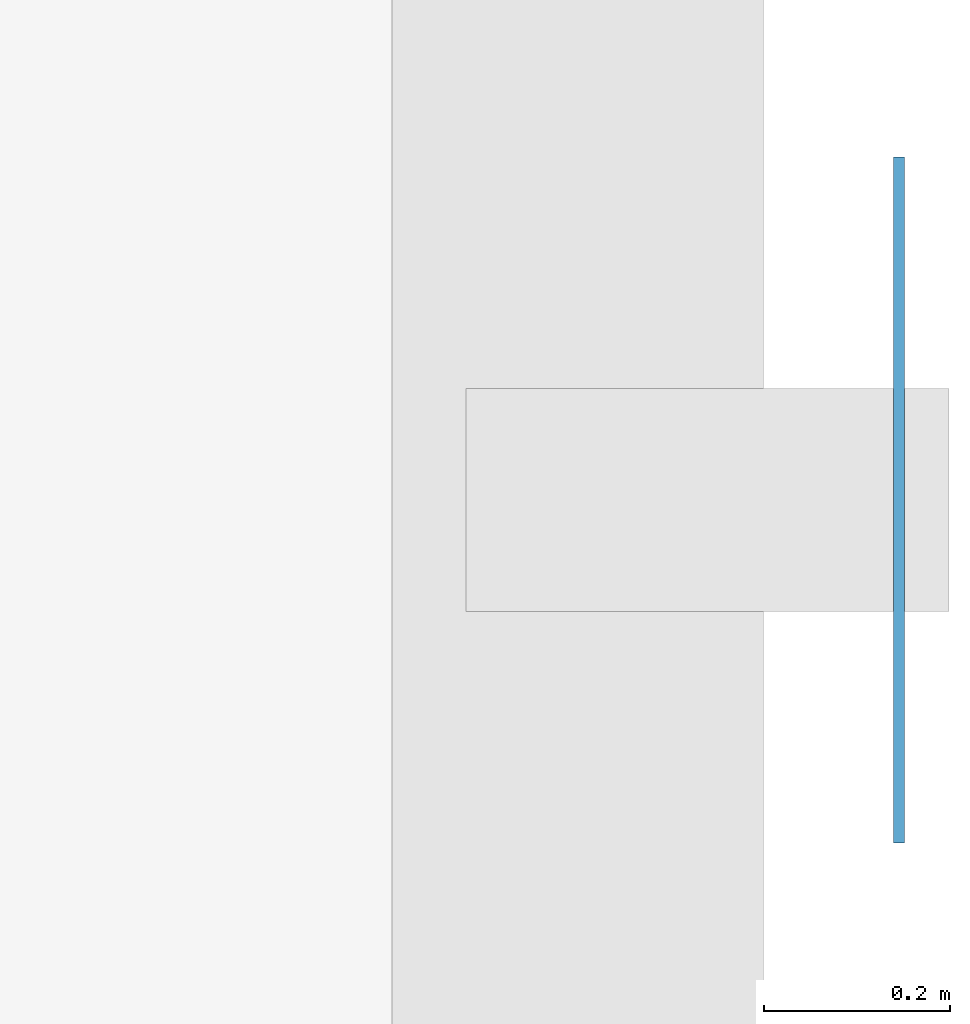
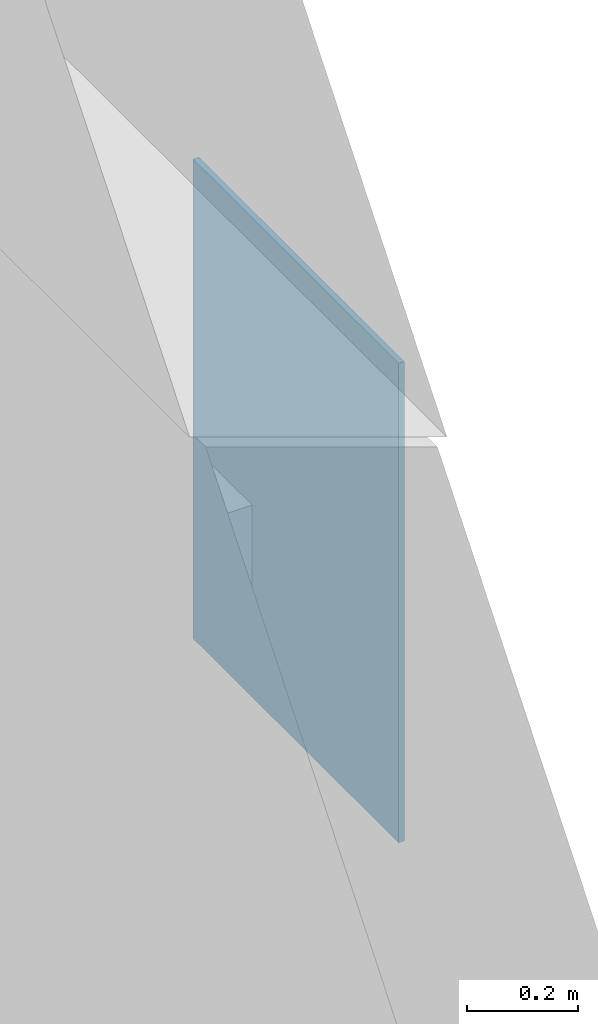
# One storey, part 37 of 51: 1 plate.
"""IFC4 building model written with IfcOpenShell, lengths in metres."""

from ifc_helpers import new_model, si_unit, direction, frame, origin, origin_2d, place, context, subcontext, project, spatial, rectangle, extrude, material, layer, layer_set, type_object, element, save


model = new_model("IFC4")

# Units and contexts
model_context = context("Model", 3, precision=1e-05, world=origin(), true_north=direction((0.0, 1.0)))
body_context = subcontext(model_context, "Body", "Model", "MODEL_VIEW")
ifc_project = project(units=[si_unit("LENGTHUNIT", "METRE"), si_unit("AREAUNIT", "SQUARE_METRE"), si_unit("VOLUMEUNIT", "CUBIC_METRE"), si_unit("PLANEANGLEUNIT", "RADIAN"), si_unit("MASSUNIT", "GRAM", prefix="KILO")], contexts=[model_context])

# Site, building, storey
site_placement = place(None, origin())
site = spatial("IfcSite", under=ifc_project, at=site_placement, CompositionType="ELEMENT")
building_placement = place(site_placement, origin())
building = spatial("IfcBuilding", under=site, at=building_placement, Name="Carrowvane Square Congress Hotel", CompositionType="ELEMENT")
storey_placement = place(building_placement, frame((0.0, 0.0, 30.0)))
storey = spatial("IfcBuildingStorey", under=building, at=storey_placement, Name="L07", CompositionType="ELEMENT", Elevation=30.0)

# Plate
ifc_material = material(Name="Champagne-gold anodised aluminium", Category="aluminium")
ifc_layer = layer(ifc_material, 0.011962890625)
ifc_layer_set = layer_set([ifc_layer], Name="Champagne-gold anodised aluminium")
plate_type = type_object("IfcPlateType", Name="PLT-PIX-GOLD12", PredefinedType="SHEET", material=ifc_layer_set)
plate_placement = place(storey_placement, frame((163.14599609375, 112.300048828125, 1.52001953125), z_axis=(0.0, 0.0, 1.0), x_axis=(0.0, -1.0, 0.0)))
element("IfcPlate", 1, at=plate_placement, inside=storey, type_object=plate_type, Name="Champagne-gold pixel screen plate S-695", PredefinedType="SHEET", context=body_context, shape_type="SweptSolid", body=[
    extrude(rectangle(XDim=0.738037109375, YDim=0.011962890625, at=origin_2d()), origin(), (0.0, 0.0, 1.0), 1.050048828125),
])

save(model, "model.ifc")
